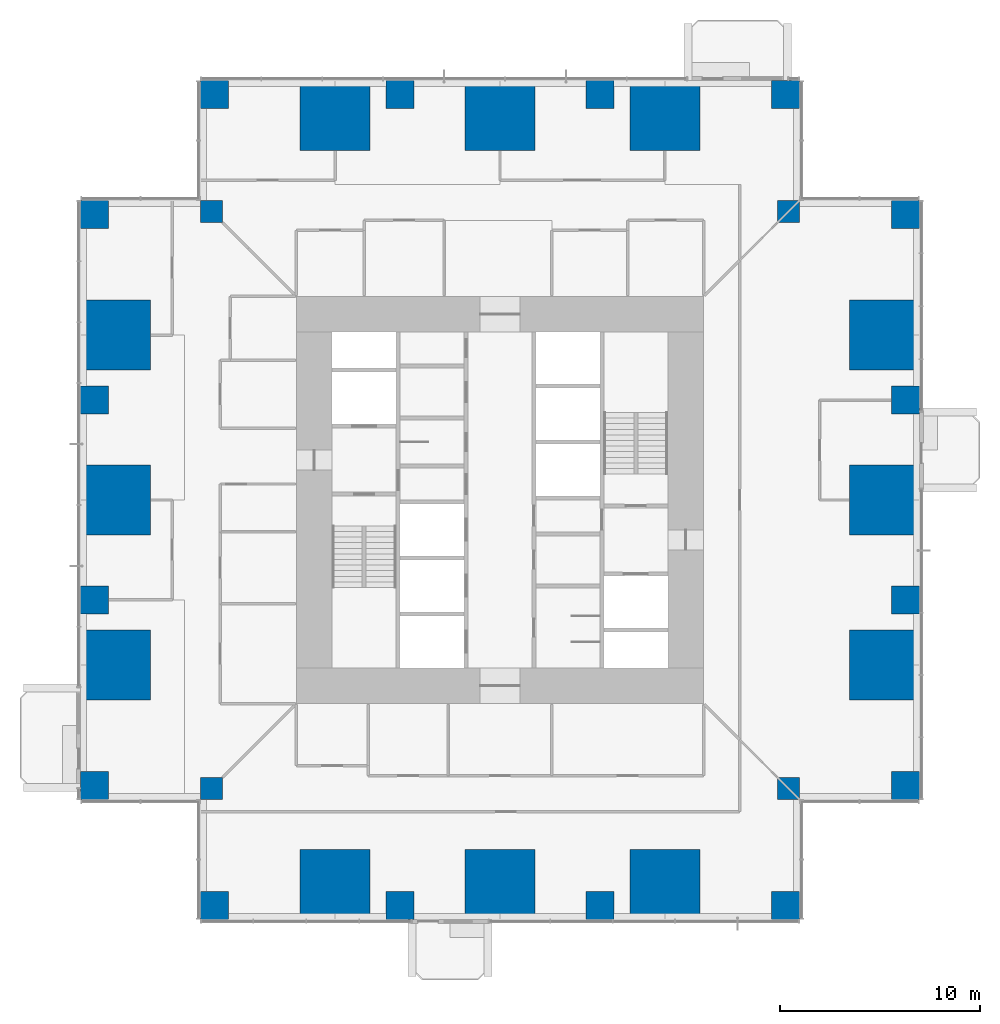
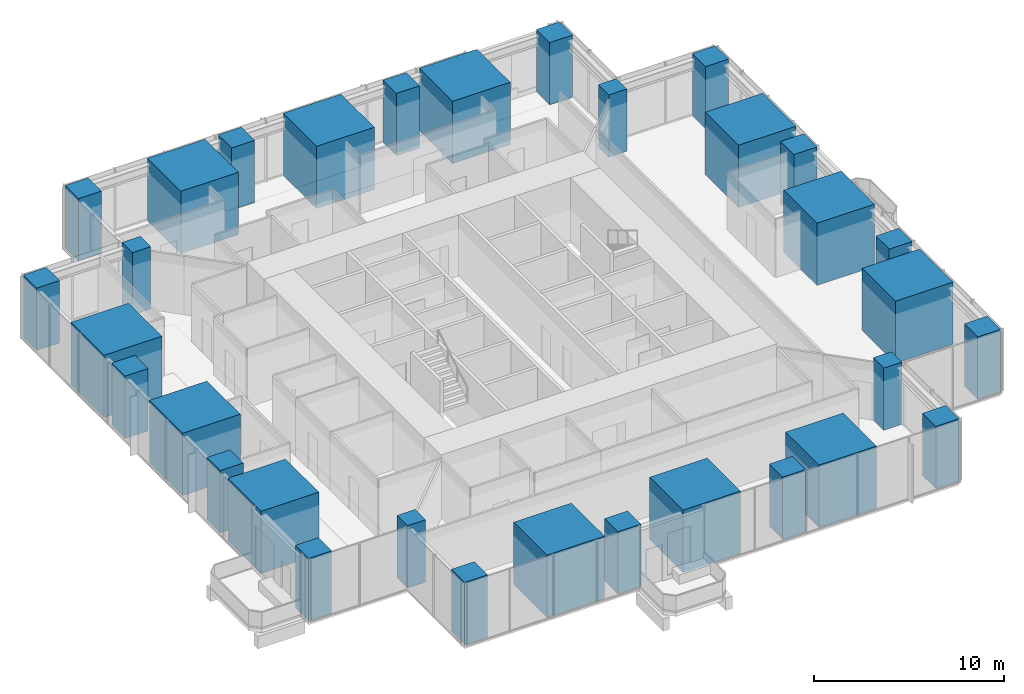
# One storey, part 1 of 17: 32 columns.
"""IFC4 building model written with IfcOpenShell, lengths in metres."""

from ifc_helpers import new_model, si_unit, direction, frame, origin, origin_2d, place, context, subcontext, project, spatial, rectangle, extrude, material, material_profile, profile_set, type_object, element, save


model = new_model("IFC4")

# Units and contexts
model_context = context("Model", 3, precision=1e-05, world=origin(), true_north=direction((0.0, 1.0)))
body_context = subcontext(model_context, "Body", "Model", "MODEL_VIEW")
ifc_project = project(units=[si_unit("LENGTHUNIT", "METRE"), si_unit("AREAUNIT", "SQUARE_METRE"), si_unit("VOLUMEUNIT", "CUBIC_METRE"), si_unit("PLANEANGLEUNIT", "RADIAN"), si_unit("MASSUNIT", "GRAM", prefix="KILO")], contexts=[model_context])

# Site, building, storey
site_placement = place(None, origin())
site = spatial("IfcSite", under=ifc_project, at=site_placement, CompositionType="ELEMENT")
building_placement = place(site_placement, origin())
building = spatial("IfcBuilding", under=site, at=building_placement, Name="Svetlomir Tower", CompositionType="ELEMENT")
storey_placement = place(building_placement, frame((0.0, 0.0, 30.5)))
storey = spatial("IfcBuildingStorey", under=building, at=storey_placement, Name="L06", CompositionType="ELEMENT", Elevation=30.5)

# Columns
ifc_material_1 = material(Name="Concrete C60/75", Category="concrete")
ifc_material_profile_1 = material_profile(ifc_material_1, rectangle(XDim=1.10009765625, YDim=1.10009765625, at=origin_2d()), Name="RC 1100x1100")
ifc_profile_set_1 = profile_set([ifc_material_profile_1], Name="Concrete C60/75")
column_type_1 = type_object("IfcColumnType", Name="COLUMN RC 1100x1100", PredefinedType="COLUMN", material=ifc_profile_set_1)
for number, where, z_axis, x_axis, name in (
    (1, (6.550048828125, 6.550048828125, 0.0), (0.0, 0.0, 1.0), (1.0, 0.0, 0.0), "Column 6/6 L06"),
    (2, (35.449951171875, 6.550048828125, 0.0), (0.0, 0.0, 1.0), (1.0, 0.0, 0.0), "Column 36/6 L06"),
    (3, (6.550048828125, 35.449951171875, 0.0), (0.0, 0.0, 1.0), (1.0, 0.0, 0.0), "Column 6/36 L06"),
    (4, (35.449951171875, 35.449951171875, 0.0), (0.0, 0.0, 1.0), (1.0, 0.0, 0.0), "Column 36/36 L06"),
):
    element("IfcColumn", number, at=place(storey_placement, frame(where, z_axis=z_axis, x_axis=x_axis)), inside=storey, type_object=column_type_1, Name=name, PredefinedType="COLUMN", context=body_context, shape_type="SweptSolid", body=[
        extrude(rectangle(XDim=1.10009765625, YDim=1.10009765625, at=origin_2d()), origin(), (0.0, 0.0, 1.0), 4.0),
    ])
ifc_material_2 = material(Name="Concrete C60/75", Category="concrete")
ifc_material_profile_2 = material_profile(ifc_material_2, rectangle(XDim=1.39990234375, YDim=1.39990234375, at=origin_2d()), Name="RC 1400x1400")
ifc_profile_set_2 = profile_set([ifc_material_profile_2], Name="Concrete C60/75")
column_type_2 = type_object("IfcColumnType", Name="COLUMN RC 1400x1400", PredefinedType="COLUMN", material=ifc_profile_set_2)
for number, where, z_axis, x_axis, name in (
    (5, (6.699951171875, 0.699951171875, 0.0), (0.0, 0.0, 1.0), (1.0, 0.0, 0.0), "Column 6/0 L06"),
    (6, (16.0, 0.699951171875, 0.0), (0.0, 0.0, 1.0), (1.0, 0.0, 0.0), "Column 16/0 L06"),
    (7, (26.0, 0.699951171875, 0.0), (0.0, 0.0, 1.0), (1.0, 0.0, 0.0), "Column 26/0 L06"),
    (8, (35.300048828125, 0.699951171875, 0.0), (0.0, 0.0, 1.0), (1.0, 0.0, 0.0), "Column 36/0 L06"),
    (9, (0.699951171875, 6.699951171875, 0.0), (0.0, 0.0, 1.0), (1.0, 0.0, 0.0), "Column 0/6 L06"),
    (10, (41.300048828125, 6.699951171875, 0.0), (0.0, 0.0, 1.0), (1.0, 0.0, 0.0), "Column 42/6 L06"),
    (11, (0.699951171875, 16.0, 0.0), (0.0, 0.0, 1.0), (1.0, 0.0, 0.0), "Column 0/16 L06"),
    (12, (41.300048828125, 16.0, 0.0), (0.0, 0.0, 1.0), (1.0, 0.0, 0.0), "Column 42/16 L06"),
    (13, (0.699951171875, 26.0, 0.0), (0.0, 0.0, 1.0), (1.0, 0.0, 0.0), "Column 0/26 L06"),
    (14, (41.300048828125, 26.0, 0.0), (0.0, 0.0, 1.0), (1.0, 0.0, 0.0), "Column 42/26 L06"),
    (15, (0.699951171875, 35.300048828125, 0.0), (0.0, 0.0, 1.0), (1.0, 0.0, 0.0), "Column 0/36 L06"),
    (16, (41.300048828125, 35.300048828125, 0.0), (0.0, 0.0, 1.0), (1.0, 0.0, 0.0), "Column 42/36 L06"),
    (17, (6.699951171875, 41.300048828125, 0.0), (0.0, 0.0, 1.0), (1.0, 0.0, 0.0), "Column 6/42 L06"),
    (18, (16.0, 41.300048828125, 0.0), (0.0, 0.0, 1.0), (1.0, 0.0, 0.0), "Column 16/42 L06"),
    (19, (26.0, 41.300048828125, 0.0), (0.0, 0.0, 1.0), (1.0, 0.0, 0.0), "Column 26/42 L06"),
    (20, (35.300048828125, 41.300048828125, 0.0), (0.0, 0.0, 1.0), (1.0, 0.0, 0.0), "Column 36/42 L06"),
):
    element("IfcColumn", number, at=place(storey_placement, frame(where, z_axis=z_axis, x_axis=x_axis)), inside=storey, type_object=column_type_2, Name=name, PredefinedType="COLUMN", context=body_context, shape_type="SweptSolid", body=[
        extrude(rectangle(XDim=1.39990234375, YDim=1.39990234375, at=origin_2d()), origin(), (0.0, 0.0, 1.0), 4.0),
    ])
ifc_material_3 = material(Name="Concrete C60/75", Category="concrete")
ifc_material_profile_3 = material_profile(ifc_material_3, rectangle(XDim=3.5, YDim=3.5, at=origin_2d()), Name="RC 3500x3500")
ifc_profile_set_3 = profile_set([ifc_material_profile_3], Name="Concrete C60/75")
column_type_3 = type_object("IfcColumnType", Name="COLUMN RC 3500x3500", PredefinedType="COLUMN", material=ifc_profile_set_3)
for number, where, z_axis, x_axis, name in (
    (21, (12.75, 1.75, 0.0), (0.0, 0.0, 1.0), (1.0, 0.0, 0.0), "Column 11/0 L06"),
    (22, (21.0, 1.75, 0.0), (0.0, 0.0, 1.0), (1.0, 0.0, 0.0), "Column 21/0 L06"),
    (23, (29.25, 1.75, 0.0), (0.0, 0.0, 1.0), (1.0, 0.0, 0.0), "Column 31/0 L06"),
    (24, (1.75, 12.75, 0.0), (0.0, 0.0, 1.0), (1.0, 0.0, 0.0), "Column 0/11 L06"),
    (25, (40.25, 12.75, 0.0), (0.0, 0.0, 1.0), (1.0, 0.0, 0.0), "Column 42/11 L06"),
    (26, (1.75, 21.0, 0.0), (0.0, 0.0, 1.0), (1.0, 0.0, 0.0), "Column 0/21 L06"),
    (27, (40.25, 21.0, 0.0), (0.0, 0.0, 1.0), (1.0, 0.0, 0.0), "Column 42/21 L06"),
    (28, (1.75, 29.25, 0.0), (0.0, 0.0, 1.0), (1.0, 0.0, 0.0), "Column 0/31 L06"),
    (29, (40.25, 29.25, 0.0), (0.0, 0.0, 1.0), (1.0, 0.0, 0.0), "Column 42/31 L06"),
    (30, (12.75, 40.25, 0.0), (0.0, 0.0, 1.0), (1.0, 0.0, 0.0), "Column 11/42 L06"),
    (31, (21.0, 40.25, 0.0), (0.0, 0.0, 1.0), (1.0, 0.0, 0.0), "Column 21/42 L06"),
    (32, (29.25, 40.25, 0.0), (0.0, 0.0, 1.0), (1.0, 0.0, 0.0), "Column 31/42 L06"),
):
    element("IfcColumn", number, at=place(storey_placement, frame(where, z_axis=z_axis, x_axis=x_axis)), inside=storey, type_object=column_type_3, Name=name, PredefinedType="COLUMN", context=body_context, shape_type="SweptSolid", body=[
        extrude(rectangle(XDim=3.5, YDim=3.5, at=origin_2d()), origin(), (0.0, 0.0, 1.0), 4.0),
    ])

save(model, "model.ifc")
